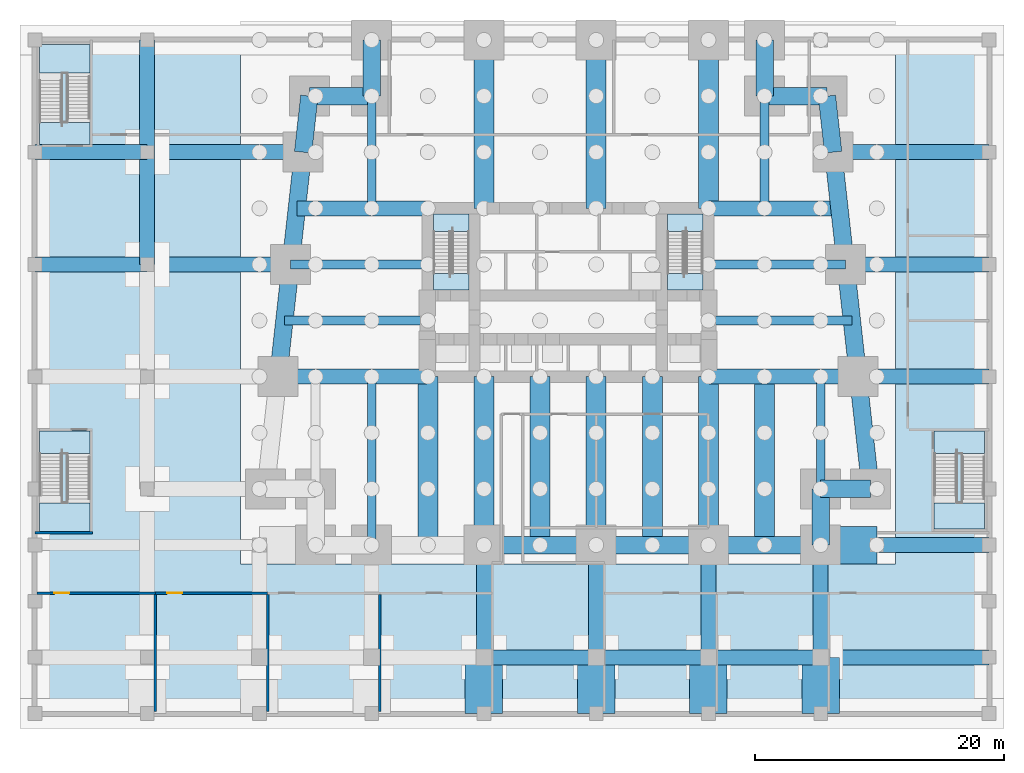
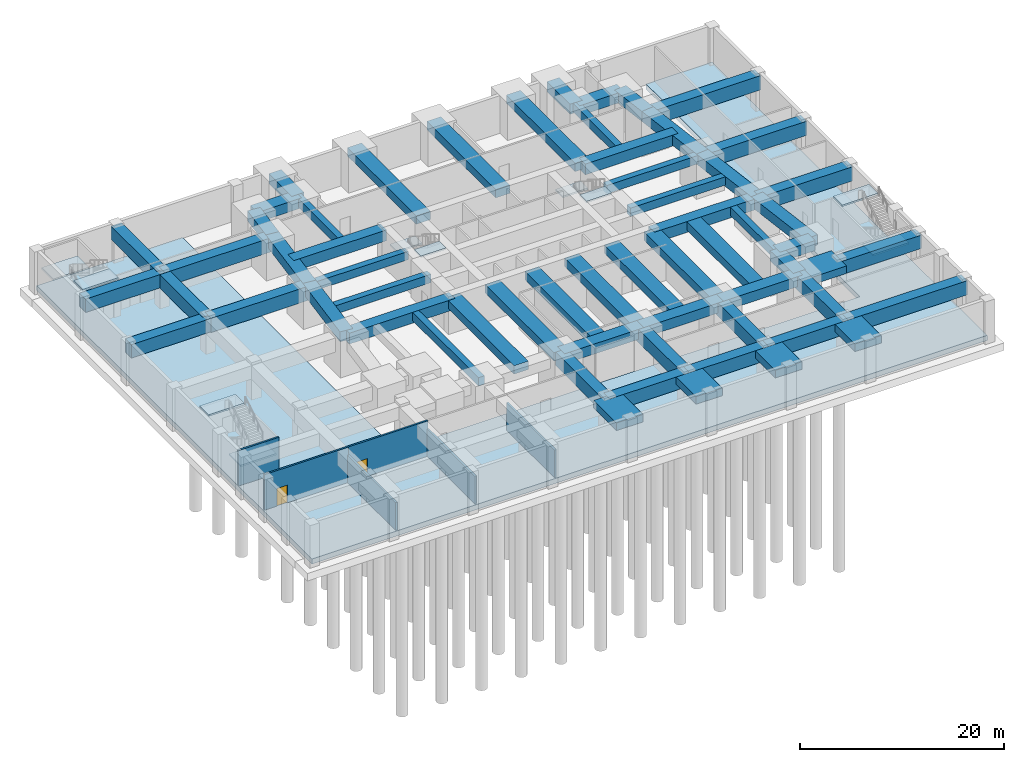
# One storey, part 2 of 9: 61 beams, 11 slabs, 6 walls, 2 doors, 2 openings, 5 elements without a shape of their own.
"""IFC4 building model written with IfcOpenShell, lengths in metres."""

from ifc_helpers import new_model, si_unit, direction, frame, frame_2d, origin, origin_2d, place, context, subcontext, project, spatial, polyline, rectangle, outline, extrude, material, layer, layer_set, material_profile, profile_set, type_object, element, fill, aggregate, save


model = new_model("IFC4")

# Units and contexts
model_context = context("Model", 3, precision=1e-05, world=origin(), true_north=direction((0.0, 1.0)))
body_context = subcontext(model_context, "Body", "Model", "MODEL_VIEW")
ifc_project = project(units=[si_unit("LENGTHUNIT", "METRE"), si_unit("AREAUNIT", "SQUARE_METRE"), si_unit("VOLUMEUNIT", "CUBIC_METRE"), si_unit("PLANEANGLEUNIT", "RADIAN"), si_unit("MASSUNIT", "GRAM", prefix="KILO")], contexts=[model_context])

# Site, building, storey
site_placement = place(None, origin())
site = spatial("IfcSite", under=ifc_project, at=site_placement, CompositionType="ELEMENT")
building_placement = place(site_placement, origin())
building = spatial("IfcBuilding", under=site, at=building_placement, Name="Kilele Tower Hotel", CompositionType="ELEMENT")
storey_placement = place(building_placement, frame((0.0, 0.0, -9.0)))
storey = spatial("IfcBuildingStorey", under=building, at=storey_placement, Name="B2", CompositionType="ELEMENT", Elevation=-9.0)

# Beams
ifc_material_1 = material(Name="Concrete C60/75", Category="concrete")
ifc_material_profile_1 = material_profile(ifc_material_1, rectangle(XDim=1.199951171875, YDim=1.60009765625, at=origin_2d()))
ifc_profile_set_1 = profile_set([ifc_material_profile_1], Name="Concrete C60/75")
beam_type_1 = type_object("IfcBeamType", Name="Beam RC 1200x1600 C60/75", PredefinedType="BEAM", material=ifc_profile_set_1)
for number, where, z_axis, x_axis, name in (
    (1, (-18.0, 22.5, 3.39990234375), (1.0, 0.0, 0.0), (0.0, 1.0, 0.0), "Beam PB2 level B1"),
    (2, (-9.0, 22.5, 3.39990234375), (0.0, 1.0, 0.0), (-1.0, 0.0, 0.0), "Beam PB2 level B1"),
    (3, (-18.0, 31.5, 3.39990234375), (1.0, 0.0, 0.0), (0.0, 1.0, 0.0), "Beam PB2 level B1"),
    (4, (-9.0, 31.5, 3.39990234375), (0.0, 1.0, 0.0), (-1.0, 0.0, 0.0), "Beam PB2 level B1"),
    (5, (18.0, -9.0, 3.39990234375), (0.0, 1.0, 0.0), (-1.0, 0.0, 0.0), "Beam PB2 level B1"),
    (6, (18.0, -9.0, 3.39990234375), (1.0, 0.0, 0.0), (0.0, 1.0, 0.0), "Beam PB2 level B1"),
    (7, (27.0, -9.0, 3.39990234375), (0.0, 1.0, 0.0), (-1.0, 0.0, 0.0), "Beam PB2 level B1"),
    (8, (27.0, -9.0, 3.39990234375), (1.0, 0.0, 0.0), (0.0, 1.0, 0.0), "Beam PB2 level B1"),
    (9, (36.0, -9.0, 3.39990234375), (0.0, 1.0, 0.0), (-1.0, 0.0, 0.0), "Beam PB2 level B1"),
    (10, (36.0, -9.0, 3.39990234375), (1.0, 0.0, 0.0), (0.0, 1.0, 0.0), "Beam PB2 level B1"),
    (11, (45.0, -9.0, 3.39990234375), (0.0, 1.0, 0.0), (-1.0, 0.0, 0.0), "Beam PB2 level B1"),
    (12, (49.5, 0.0, 3.39990234375), (1.0, 0.0, 0.0), (0.0, 1.0, 0.0), "Beam PB2 level B1"),
):
    element("IfcBeam", number, at=place(storey_placement, frame(where, z_axis=z_axis, x_axis=x_axis)), inside=storey, type_object=beam_type_1, Name=name, PredefinedType="BEAM", context=body_context, shape_type="SweptSolid", body=[
        extrude(rectangle(XDim=1.199951171875, YDim=1.60009765625, at=origin_2d()), origin(), (0.0, 0.0, 1.0), 9.0),
    ])
ifc_material_2 = material(Name="Concrete C60/75", Category="concrete")
ifc_material_profile_2 = material_profile(ifc_material_2, rectangle(XDim=1.199951171875, YDim=1.699951171875, at=origin_2d()))
ifc_profile_set_2 = profile_set([ifc_material_profile_2], Name="Concrete C60/75")
beam_type_2 = type_object("IfcBeamType", Name="Beam RC 1200x1700 C60/75", PredefinedType="BEAM", material=ifc_profile_set_2)
for number, where, z_axis, x_axis, name in (
    (13, (46.0, 31.5, 3.35009765625), (1.0, 0.0, 0.0), (0.0, 1.0, 0.0), "Beam PB3 level B1"),
    (14, (-9.0, 31.5, 3.35009765625), (1.0, 0.0, 0.0), (0.0, 1.0, 0.0), "Beam PB3 level B1"),
):
    element("IfcBeam", number, at=place(storey_placement, frame(where, z_axis=z_axis, x_axis=x_axis)), inside=storey, type_object=beam_type_2, Name=name, PredefinedType="BEAM", context=body_context, shape_type="SweptSolid", body=[
        extrude(rectangle(XDim=1.199951171875, YDim=1.699951171875, at=origin_2d()), origin(), (0.0, 0.0, 1.0), 12.5),
    ])
beam_1_placement = place(storey_placement, frame((45.0, -9.0, 3.35009765625), z_axis=(1.0, 0.0, 0.0), x_axis=(0.0, 1.0, 0.0)))
element("IfcBeam", 15, at=beam_1_placement, inside=storey, type_object=beam_type_2, Name="Beam PB3 level B1", PredefinedType="BEAM", context=body_context, shape_type="SweptSolid", body=[
    extrude(rectangle(XDim=1.199951171875, YDim=1.699951171875, at=origin_2d()), origin(), (0.0, 0.0, 1.0), 13.5),
])
ifc_material_3 = material(Name="Concrete C60/75", Category="concrete")
ifc_material_profile_3 = material_profile(ifc_material_3, rectangle(XDim=1.199951171875, YDim=1.699951171875, at=origin_2d()))
ifc_profile_set_3 = profile_set([ifc_material_profile_3], Name="Concrete C60/75")
beam_type_3 = type_object("IfcBeamType", Name="Beam RC 1200x1700 C60/75 mid span", PredefinedType="BEAM", material=ifc_profile_set_3)
beam_2_placement = place(storey_placement, frame((48.0, 13.5, 3.35009765625), z_axis=(1.0, 0.0, 0.0), x_axis=(0.0, 1.0, 0.0)))
element("IfcBeam", 16, at=beam_2_placement, inside=storey, type_object=beam_type_3, Name="Beam PB4 level B1", PredefinedType="BEAM", context=body_context, shape_type="SweptSolid", body=[
    extrude(rectangle(XDim=1.199951171875, YDim=1.699951171875, at=origin_2d()), origin(), (0.0, 0.0, 1.0), 10.5),
])
for number, where, z_axis, x_axis, name in (
    (17, (47.0, 22.5, 3.35009765625), (1.0, 0.0, 0.0), (0.0, 1.0, 0.0), "Beam PB4 level B1"),
    (18, (-9.0, 22.5, 3.35009765625), (1.0, 0.0, 0.0), (0.0, 1.0, 0.0), "Beam PB4 level B1"),
):
    element("IfcBeam", number, at=place(storey_placement, frame(where, z_axis=z_axis, x_axis=x_axis)), inside=storey, type_object=beam_type_3, Name=name, PredefinedType="BEAM", context=body_context, shape_type="SweptSolid", body=[
        extrude(rectangle(XDim=1.199951171875, YDim=1.699951171875, at=origin_2d()), origin(), (0.0, 0.0, 1.0), 11.5),
    ])
ifc_material_4 = material(Name="Concrete C60/75", Category="concrete")
ifc_material_profile_4 = material_profile(ifc_material_4, rectangle(XDim=1.60009765625, YDim=1.0, at=origin_2d()))
ifc_profile_set_4 = profile_set([ifc_material_profile_4], Name="Concrete C60/75")
beam_type_4 = type_object("IfcBeamType", Name="Beam RC 1600x1000 C60/75", PredefinedType="BEAM", material=ifc_profile_set_4)
for number, where, z_axis, x_axis, name in (
    (19, (13.5, 0.0, 3.699951171875), (0.0, 1.0, 0.0), (-1.0, 0.0, 0.0), "Beam BC1 level B1"),
    (20, (18.0, 0.0, 3.699951171875), (0.0, 1.0, 0.0), (-1.0, 0.0, 0.0), "Beam BC1 level B1"),
    (21, (22.5, 0.0, 3.699951171875), (0.0, 1.0, 0.0), (-1.0, 0.0, 0.0), "Beam BC1 level B1"),
    (22, (27.0, 0.0, 3.699951171875), (0.0, 1.0, 0.0), (-1.0, 0.0, 0.0), "Beam BC1 level B1"),
    (23, (31.5, 0.0, 3.699951171875), (0.0, 1.0, 0.0), (-1.0, 0.0, 0.0), "Beam BC1 level B1"),
    (24, (36.0, 0.0, 3.699951171875), (0.0, 1.0, 0.0), (-1.0, 0.0, 0.0), "Beam BC1 level B1"),
    (25, (40.5, 0.0, 3.699951171875), (0.0, 1.0, 0.0), (-1.0, 0.0, 0.0), "Beam BC1 level B1"),
    (26, (36.0, 40.5, 3.699951171875), (0.0, -1.0, 0.0), (1.0, 0.0, 0.0), "Beam BC1 level B1"),
    (27, (27.0, 40.5, 3.699951171875), (0.0, -1.0, 0.0), (1.0, 0.0, 0.0), "Beam BC1 level B1"),
    (28, (18.0, 40.5, 3.699951171875), (0.0, -1.0, 0.0), (1.0, 0.0, 0.0), "Beam BC1 level B1"),
):
    element("IfcBeam", number, at=place(storey_placement, frame(where, z_axis=z_axis, x_axis=x_axis)), inside=storey, type_object=beam_type_4, Name=name, PredefinedType="BEAM", context=body_context, shape_type="SweptSolid", body=[
        extrude(rectangle(XDim=1.60009765625, YDim=1.0, at=origin_2d()), origin(), (0.0, 0.0, 1.0), 13.5),
    ])
ifc_material_5 = material(Name="Concrete C60/75", Category="concrete")
ifc_material_profile_5 = material_profile(ifc_material_5, rectangle(XDim=3.0, YDim=0.89990234375, at=origin_2d()))
ifc_profile_set_5 = profile_set([ifc_material_profile_5], Name="Concrete C60/75")
beam_type_5 = type_object("IfcBeamType", Name="Beam RC 3000x900 C60/75", PredefinedType="BEAM", material=ifc_profile_set_5)
for number, where, z_axis, x_axis, name in (
    (29, (45.0, 0.0, 3.75), (1.0, 0.0, 0.0), (0.0, 1.0, 0.0), "Beam PB1 level B1"),
    (30, (18.0, -13.5, 3.75), (0.0, 1.0, 0.0), (-1.0, 0.0, 0.0), "Beam PB1 level B1"),
    (31, (27.0, -13.5, 3.75), (0.0, 1.0, 0.0), (-1.0, 0.0, 0.0), "Beam PB1 level B1"),
    (32, (36.0, -13.5, 3.75), (0.0, 1.0, 0.0), (-1.0, 0.0, 0.0), "Beam PB1 level B1"),
    (33, (45.0, -13.5, 3.75), (0.0, 1.0, 0.0), (-1.0, 0.0, 0.0), "Beam PB1 level B1"),
):
    element("IfcBeam", number, at=place(storey_placement, frame(where, z_axis=z_axis, x_axis=x_axis)), inside=storey, type_object=beam_type_5, Name=name, PredefinedType="BEAM", context=body_context, shape_type="SweptSolid", body=[
        extrude(rectangle(XDim=3.0, YDim=0.89990234375, at=origin_2d()), origin(), (0.0, 0.0, 1.0), 4.5),
    ])
ifc_material_6 = material(Name="Concrete C60/75", Category="concrete")
ifc_material_profile_6 = material_profile(ifc_material_6, rectangle(XDim=0.699951171875, YDim=1.0, at=origin_2d()))
ifc_profile_set_6 = profile_set([ifc_material_profile_6], Name="Concrete C60/75")
beam_type_6 = type_object("IfcBeamType", Name="Beam RC 700x1000 C60/75", PredefinedType="BEAM", material=ifc_profile_set_6)
beam_3_placement = place(storey_placement, frame((9.0, 0.0, 3.699951171875), z_axis=(0.0, 1.0, 0.0), x_axis=(-1.0, 0.0, 0.0)))
element("IfcBeam", 34, at=beam_3_placement, inside=storey, type_object=beam_type_6, Name="Beam B4 level B1", PredefinedType="BEAM", context=body_context, shape_type="SweptSolid", body=[
    extrude(rectangle(XDim=0.699951171875, YDim=1.0, at=origin_2d()), origin(), (0.0, 0.0, 1.0), 13.5),
])
ifc_material_7 = material(Name="Concrete C60/75", Category="concrete")
ifc_material_profile_7 = material_profile(ifc_material_7, rectangle(XDim=0.699951171875, YDim=1.0, at=origin_2d()))
ifc_profile_set_7 = profile_set([ifc_material_profile_7], Name="Concrete C60/75")
beam_type_7 = type_object("IfcBeamType", Name="Beam RC 700x1000 C60/75 mid span", PredefinedType="BEAM", material=ifc_profile_set_7)
beam_4_placement = place(storey_placement, frame((45.0, 4.5, 3.699951171875), z_axis=(0.0, 1.0, 0.0), x_axis=(-1.0, 0.0, 0.0)))
element("IfcBeam", 35, at=beam_4_placement, inside=storey, type_object=beam_type_7, Name="Beam B5 level B1", PredefinedType="BEAM", context=body_context, shape_type="SweptSolid", body=[
    extrude(rectangle(XDim=0.699951171875, YDim=1.0, at=origin_2d()), origin(), (0.0, 0.0, 1.0), 9.0),
])
beam_5_placement = place(storey_placement, frame((47.5, 18.0, 3.699951171875), z_axis=(-1.0, 0.0, 0.0), x_axis=(0.0, -1.0, 0.0)))
element("IfcBeam", 36, at=beam_5_placement, inside=storey, type_object=beam_type_7, Name="Beam B5 level B1", PredefinedType="BEAM", context=body_context, shape_type="SweptSolid", body=[
    extrude(rectangle(XDim=0.699951171875, YDim=1.0, at=origin_2d()), origin(), (0.0, 0.0, 1.0), 11.449951171875),
])
beam_6_placement = place(storey_placement, frame((47.0, 22.5, 3.699951171875), z_axis=(-1.0, 0.0, 0.0), x_axis=(0.0, -1.0, 0.0)))
element("IfcBeam", 37, at=beam_6_placement, inside=storey, type_object=beam_type_7, Name="Beam B5 level B1", PredefinedType="BEAM", context=body_context, shape_type="SweptSolid", body=[
    extrude(rectangle(XDim=0.699951171875, YDim=1.0, at=origin_2d()), origin(), (0.0, 0.0, 1.0), 11.0),
])
for number, where, z_axis, x_axis, name in (
    (38, (40.5, 36.0, 3.699951171875), (0.0, -1.0, 0.0), (1.0, 0.0, 0.0), "Beam B5 level B1"),
    (39, (9.0, 36.0, 3.699951171875), (0.0, -1.0, 0.0), (1.0, 0.0, 0.0), "Beam B5 level B1"),
):
    element("IfcBeam", number, at=place(storey_placement, frame(where, z_axis=z_axis, x_axis=x_axis)), inside=storey, type_object=beam_type_7, Name=name, PredefinedType="BEAM", context=body_context, shape_type="SweptSolid", body=[
        extrude(rectangle(XDim=0.699951171875, YDim=1.0, at=origin_2d()), origin(), (0.0, 0.0, 1.0), 9.0),
    ])
beam_7_placement = place(storey_placement, frame((2.5, 22.5, 3.699951171875), z_axis=(1.0, 0.0, 0.0), x_axis=(0.0, 1.0, 0.0)))
element("IfcBeam", 40, at=beam_7_placement, inside=storey, type_object=beam_type_7, Name="Beam B5 level B1", PredefinedType="BEAM", context=body_context, shape_type="SweptSolid", body=[
    extrude(rectangle(XDim=0.699951171875, YDim=1.0, at=origin_2d()), origin(), (0.0, 0.0, 1.0), 11.0),
])
beam_8_placement = place(storey_placement, frame((2.0, 18.0, 3.699951171875), z_axis=(1.0, 0.0, 0.0), x_axis=(0.0, 1.0, 0.0)))
element("IfcBeam", 41, at=beam_8_placement, inside=storey, type_object=beam_type_7, Name="Beam B5 level B1", PredefinedType="BEAM", context=body_context, shape_type="SweptSolid", body=[
    extrude(rectangle(XDim=0.699951171875, YDim=1.0, at=origin_2d()), origin(), (0.0, 0.0, 1.0), 11.449951171875),
])
ifc_material_8 = material(Name="Concrete C60/75", Category="concrete")
ifc_material_profile_8 = material_profile(ifc_material_8, rectangle(XDim=1.199951171875, YDim=1.300048828125, at=origin_2d()))
ifc_profile_set_8 = profile_set([ifc_material_profile_8], Name="Concrete C60/75")
beam_type_8 = type_object("IfcBeamType", Name="Girder RC 1200x1300 C60/75 mid span", PredefinedType="BEAM", material=ifc_profile_set_8)
beam_9_placement = place(storey_placement, frame((48.0, 13.5, 3.550048828125), z_axis=(-1.0, 0.0, 0.0), x_axis=(0.0, -1.0, 0.0)))
element("IfcBeam", 42, at=beam_9_placement, inside=storey, type_object=beam_type_8, Name="Girder G3 level B1", PredefinedType="BEAM", context=body_context, shape_type="SweptSolid", body=[
    extrude(rectangle(XDim=1.199951171875, YDim=1.300048828125, at=origin_2d()), origin(), (0.0, 0.0, 1.0), 11.949951171875),
])
for number, where, z_axis, x_axis, name in (
    (43, (46.5, 27.0, 3.550048828125), (-1.0, 0.0, 0.0), (0.0, -1.0, 0.0), "Girder G3 level B1"),
    (44, (3.0, 27.0, 3.550048828125), (1.0, 0.0, 0.0), (0.0, 1.0, 0.0), "Girder G3 level B1"),
):
    element("IfcBeam", number, at=place(storey_placement, frame(where, z_axis=z_axis, x_axis=x_axis)), inside=storey, type_object=beam_type_8, Name=name, PredefinedType="BEAM", context=body_context, shape_type="SweptSolid", body=[
        extrude(rectangle(XDim=1.199951171875, YDim=1.300048828125, at=origin_2d()), origin(), (0.0, 0.0, 1.0), 10.5),
    ])
beam_10_placement = place(storey_placement, frame((1.5, 13.5, 3.550048828125), z_axis=(1.0, 0.0, 0.0), x_axis=(0.0, 1.0, 0.0)))
element("IfcBeam", 45, at=beam_10_placement, inside=storey, type_object=beam_type_8, Name="Girder G3 level B1", PredefinedType="BEAM", context=body_context, shape_type="SweptSolid", body=[
    extrude(rectangle(XDim=1.199951171875, YDim=1.300048828125, at=origin_2d()), origin(), (0.0, 0.0, 1.0), 11.949951171875),
])
ifc_material_9 = material(Name="Concrete C60/75", Category="concrete")
ifc_material_profile_9 = material_profile(ifc_material_9, rectangle(XDim=1.39990234375, YDim=1.199951171875, at=origin_2d()))
ifc_profile_set_9 = profile_set([ifc_material_profile_9], Name="Concrete C60/75")
beam_type_9 = type_object("IfcBeamType", Name="Spandrel RC 1400x1200 C60/75", PredefinedType="SPANDREL", material=ifc_profile_set_9)
for number, where, z_axis, x_axis, name in (
    (46, (18.0, 0.0, 3.60009765625), (1.0, 0.0, 0.0), (0.0, 1.0, 0.0), "Spandrel SP10 level B1"),
    (47, (27.0, 0.0, 3.60009765625), (1.0, 0.0, 0.0), (0.0, 1.0, 0.0), "Spandrel SP10 level B1"),
    (48, (36.0, 0.0, 3.60009765625), (1.0, 0.0, 0.0), (0.0, 1.0, 0.0), "Spandrel SP10 level B1"),
):
    element("IfcBeam", number, at=place(storey_placement, frame(where, z_axis=z_axis, x_axis=x_axis)), inside=storey, type_object=beam_type_9, Name=name, PredefinedType="SPANDREL", context=body_context, shape_type="SweptSolid", body=[
        extrude(rectangle(XDim=1.39990234375, YDim=1.199951171875, at=origin_2d()), origin(), (0.0, 0.0, 1.0), 9.0),
    ])
beam_11_placement = place(storey_placement, frame((45.0, 0.0, 3.60009765625), z_axis=(0.0, 1.0, 0.0), x_axis=(-1.0, 0.0, 0.0)))
element("IfcBeam", 49, at=beam_11_placement, inside=storey, type_object=beam_type_9, Name="Spandrel SP10 level B1", PredefinedType="SPANDREL", context=body_context, shape_type="SweptSolid", body=[
    extrude(rectangle(XDim=1.39990234375, YDim=1.199951171875, at=origin_2d()), origin(), (0.0, 0.0, 1.0), 4.5),
])
beam_12_placement = place(storey_placement, frame((45.0, 4.5, 3.60009765625), z_axis=(1.0, 0.0, 0.0), x_axis=(0.0, 1.0, 0.0)))
element("IfcBeam", 50, at=beam_12_placement, inside=storey, type_object=beam_type_9, Name="Spandrel SP10 level B1", PredefinedType="SPANDREL", context=body_context, shape_type="SweptSolid", body=[
    extrude(rectangle(XDim=1.39990234375, YDim=1.199951171875, at=origin_2d()), origin(), (0.0, 0.0, 1.0), 4.0),
])
for number, where, z_axis, x_axis, name in (
    (51, (49.0, 4.5, 3.60009765625), (-0.110431526075, 0.993883734674, 0.0), (-0.993883734674, -0.110431526075, 0.0), "Spandrel SP10 level B1"),
    (52, (48.0, 13.5, 3.60009765625), (-0.110431526075, 0.993883734674, 0.0), (-0.993883734674, -0.110431526075, 0.0), "Spandrel SP10 level B1"),
    (53, (47.0, 22.5, 3.60009765625), (-0.110431526075, 0.993883734674, 0.0), (-0.993883734674, -0.110431526075, 0.0), "Spandrel SP10 level B1"),
):
    element("IfcBeam", number, at=place(storey_placement, frame(where, z_axis=z_axis, x_axis=x_axis)), inside=storey, type_object=beam_type_9, Name=name, PredefinedType="SPANDREL", context=body_context, shape_type="SweptSolid", body=[
        extrude(rectangle(XDim=1.39990234375, YDim=1.199951171875, at=origin_2d()), origin(), (0.0, 0.0, 1.0), 9.055419921875),
    ])
beam_13_placement = place(storey_placement, frame((46.0, 31.5, 3.60009765625), z_axis=(-0.110431526075, 0.993883734674, 0.0), x_axis=(-0.993883734674, -0.110431526075, 0.0)))
element("IfcBeam", 54, at=beam_13_placement, inside=storey, type_object=beam_type_9, Name="Spandrel SP10 level B1", PredefinedType="SPANDREL", context=body_context, shape_type="SweptSolid", body=[
    extrude(rectangle(XDim=1.39990234375, YDim=1.199951171875, at=origin_2d()), origin(), (0.0, 0.0, 1.0), 4.527587890625),
])
beam_14_placement = place(storey_placement, frame((45.5, 36.0, 3.60009765625), z_axis=(-1.0, 0.0, 0.0), x_axis=(0.0, -1.0, 0.0)))
element("IfcBeam", 55, at=beam_14_placement, inside=storey, type_object=beam_type_9, Name="Spandrel SP10 level B1", PredefinedType="SPANDREL", context=body_context, shape_type="SweptSolid", body=[
    extrude(rectangle(XDim=1.39990234375, YDim=1.199951171875, at=origin_2d()), origin(), (0.0, 0.0, 1.0), 5.0),
])
for number, where, z_axis, x_axis, name in (
    (56, (40.5, 36.0, 3.60009765625), (0.0, 1.0, 0.0), (-1.0, 0.0, 0.0), "Spandrel SP10 level B1"),
    (57, (9.0, 40.5, 3.60009765625), (0.0, -1.0, 0.0), (1.0, 0.0, 0.0), "Spandrel SP10 level B1"),
):
    element("IfcBeam", number, at=place(storey_placement, frame(where, z_axis=z_axis, x_axis=x_axis)), inside=storey, type_object=beam_type_9, Name=name, PredefinedType="SPANDREL", context=body_context, shape_type="SweptSolid", body=[
        extrude(rectangle(XDim=1.39990234375, YDim=1.199951171875, at=origin_2d()), origin(), (0.0, 0.0, 1.0), 4.5),
    ])
beam_15_placement = place(storey_placement, frame((9.0, 36.0, 3.60009765625), z_axis=(-1.0, 0.0, 0.0), x_axis=(0.0, -1.0, 0.0)))
element("IfcBeam", 58, at=beam_15_placement, inside=storey, type_object=beam_type_9, Name="Spandrel SP10 level B1", PredefinedType="SPANDREL", context=body_context, shape_type="SweptSolid", body=[
    extrude(rectangle(XDim=1.39990234375, YDim=1.199951171875, at=origin_2d()), origin(), (0.0, 0.0, 1.0), 5.0),
])
beam_16_placement = place(storey_placement, frame((4.0, 36.0, 3.60009765625), z_axis=(-0.110431526075, -0.993883734674, 0.0), x_axis=(0.993883734674, -0.110431526075, 0.0)))
element("IfcBeam", 59, at=beam_16_placement, inside=storey, type_object=beam_type_9, Name="Spandrel SP10 level B1", PredefinedType="SPANDREL", context=body_context, shape_type="SweptSolid", body=[
    extrude(rectangle(XDim=1.39990234375, YDim=1.199951171875, at=origin_2d()), origin(), (0.0, 0.0, 1.0), 4.527587890625),
])
for number, where, z_axis, x_axis, name in (
    (60, (3.5, 31.5, 3.60009765625), (-0.110431526075, -0.993883734674, 0.0), (0.993883734674, -0.110431526075, 0.0), "Spandrel SP10 level B1"),
    (61, (2.5, 22.5, 3.60009765625), (-0.110431526075, -0.993883734674, 0.0), (0.993883734674, -0.110431526075, 0.0), "Spandrel SP10 level B1"),
):
    element("IfcBeam", number, at=place(storey_placement, frame(where, z_axis=z_axis, x_axis=x_axis)), inside=storey, type_object=beam_type_9, Name=name, PredefinedType="SPANDREL", context=body_context, shape_type="SweptSolid", body=[
        extrude(rectangle(XDim=1.39990234375, YDim=1.199951171875, at=origin_2d()), origin(), (0.0, 0.0, 1.0), 9.055419921875),
    ])

# Slab
ifc_material_10 = material(Name="Concrete C60/75", Category="concrete")
ifc_layer_1 = layer(ifc_material_10, 0.60009765625)
ifc_layer_set_1 = layer_set([ifc_layer_1], Name="Concrete C60/75")
slab_type_1 = type_object("IfcSlabType", Name="Base slab 600", PredefinedType="BASESLAB", material=ifc_layer_set_1)
slab_1_placement = place(storey_placement, frame((0.0, 0.0, -0.60009765625)))
element("IfcSlab", 62, at=slab_1_placement, inside=storey, type_object=slab_type_1, Name="Base slab B2", PredefinedType="BASESLAB", context=body_context, shape_type="SweptSolid", body=[
    extrude(outline(polyline([(58.5, 40.5), (58.5, -13.5), (-18.0, -13.5), (-18.0, 40.5), (-1.5, 40.5), (-1.5, -1.5), (51.0, -1.5), (51.0, 40.5), (58.5, 40.5)])), origin(), (0.0, 0.0, 1.0), 0.60009765625),
])

# Stair, slabs
ifc_material_11 = material(Name="Precast concrete C40/50", Category="concrete")
stair_type_1 = type_object("IfcStairType", Name="Stair 1325 x 4500", PredefinedType="HALF_TURN_STAIR", material=ifc_material_11)
stair_1_placement = place(storey_placement, origin())
stair_1 = element("IfcStair", 63, at=stair_1_placement, inside=storey, type_object=stair_type_1, Name="Stair 1 B2", PredefinedType="HALF_TURN_STAIR")
ifc_material_12 = material(Name="Precast concrete C40/50", Category="concrete")
ifc_layer_2 = layer(ifc_material_12, 0.199951171875)
ifc_layer_set_2 = layer_set([ifc_layer_2], Name="Precast concrete C40/50")
slab_type_2 = type_object("IfcSlabType", Name="Stair landing 200", PredefinedType="LANDING", material=ifc_layer_set_2)
slab_2_placement = place(storey_placement, frame((0.0, 0.0, 2.050048828125)))
slab_2 = element("IfcSlab", 64, at=slab_2_placement, type_object=slab_type_2, Name="ST1 landing 1", PredefinedType="LANDING", context=body_context, shape_type="SweptSolid", body=[
    extrude(outline(polyline([(13.949951171875, 25.135009765625), (16.800048828125, 25.135009765625), (16.800048828125, 26.550048828125), (13.949951171875, 26.550048828125), (13.949951171875, 25.135009765625)])), origin(), (0.0, 0.0, 1.0), 0.199951171875),
])
slab_3_placement = place(storey_placement, frame((0.0, 0.0, 4.300048828125)))
slab_3 = element("IfcSlab", 65, at=slab_3_placement, type_object=slab_type_2, Name="ST1 landing 2", PredefinedType="LANDING", context=body_context, shape_type="SweptSolid", body=[
    extrude(outline(polyline([(13.949951171875, 20.449951171875), (16.800048828125, 20.449951171875), (16.800048828125, 21.77490234375), (13.949951171875, 21.77490234375), (13.949951171875, 20.449951171875)])), origin(), (0.0, 0.0, 1.0), 0.199951171875),
])
aggregate(stair_1, [slab_2, slab_3])

stair_2_placement = place(storey_placement, origin())
stair_2 = element("IfcStair", 66, at=stair_2_placement, inside=storey, type_object=stair_type_1, Name="Stair 2 B2", PredefinedType="HALF_TURN_STAIR")
slab_4_placement = place(storey_placement, frame((0.0, 0.0, 2.050048828125)))
slab_4 = element("IfcSlab", 67, at=slab_4_placement, type_object=slab_type_2, Name="ST2 landing 1", PredefinedType="LANDING", context=body_context, shape_type="SweptSolid", body=[
    extrude(outline(polyline([(32.699951171875, 25.135009765625), (35.550048828125, 25.135009765625), (35.550048828125, 26.550048828125), (32.699951171875, 26.550048828125), (32.699951171875, 25.135009765625)])), origin(), (0.0, 0.0, 1.0), 0.199951171875),
])
slab_5_placement = place(storey_placement, frame((0.0, 0.0, 4.300048828125)))
slab_5 = element("IfcSlab", 68, at=slab_5_placement, type_object=slab_type_2, Name="ST2 landing 2", PredefinedType="LANDING", context=body_context, shape_type="SweptSolid", body=[
    extrude(outline(polyline([(32.699951171875, 20.449951171875), (35.550048828125, 20.449951171875), (35.550048828125, 21.77490234375), (32.699951171875, 21.77490234375), (32.699951171875, 20.449951171875)])), origin(), (0.0, 0.0, 1.0), 0.199951171875),
])
aggregate(stair_2, [slab_4, slab_5])

ifc_material_13 = material(Name="Precast concrete C40/50", Category="concrete")
stair_type_2 = type_object("IfcStairType", Name="Stair 1800 x 4500", PredefinedType="HALF_TURN_STAIR", material=ifc_material_13)
stair_3_placement = place(storey_placement, origin())
stair_3 = element("IfcStair", 69, at=stair_3_placement, inside=storey, type_object=stair_type_2, Name="Stair 3 B2", PredefinedType="HALF_TURN_STAIR")
slab_6_placement = place(storey_placement, frame((0.0, 0.0, 2.050048828125)))
slab_6 = element("IfcSlab", 70, at=slab_6_placement, type_object=slab_type_2, Name="ST3 landing 1", PredefinedType="LANDING", context=body_context, shape_type="SweptSolid", body=[
    extrude(outline(polyline([(-17.64990234375, 37.860107421875), (-13.60009765625, 37.860107421875), (-13.60009765625, 40.14990234375), (-17.64990234375, 40.14990234375), (-17.64990234375, 37.860107421875)])), origin(), (0.0, 0.0, 1.0), 0.199951171875),
])
slab_7_placement = place(storey_placement, frame((0.0, 0.0, 4.300048828125)))
slab_7 = element("IfcSlab", 71, at=slab_7_placement, type_object=slab_type_2, Name="ST3 landing 2", PredefinedType="LANDING", context=body_context, shape_type="SweptSolid", body=[
    extrude(outline(polyline([(-17.64990234375, 32.10009765625), (-13.60009765625, 32.10009765625), (-13.60009765625, 33.89990234375), (-17.64990234375, 33.89990234375), (-17.64990234375, 32.10009765625)])), origin(), (0.0, 0.0, 1.0), 0.199951171875),
])
aggregate(stair_3, [slab_6, slab_7])

stair_4_placement = place(storey_placement, origin())
stair_4 = element("IfcStair", 72, at=stair_4_placement, inside=storey, type_object=stair_type_2, Name="Stair 4 B2", PredefinedType="HALF_TURN_STAIR")
slab_8_placement = place(storey_placement, frame((0.0, 0.0, 2.050048828125)))
slab_8 = element("IfcSlab", 73, at=slab_8_placement, type_object=slab_type_2, Name="ST4 landing 1", PredefinedType="LANDING", context=body_context, shape_type="SweptSolid", body=[
    extrude(outline(polyline([(-17.64990234375, 1.10009765625), (-13.60009765625, 1.10009765625), (-13.60009765625, 3.389892578125), (-17.64990234375, 3.389892578125), (-17.64990234375, 1.10009765625)])), origin(), (0.0, 0.0, 1.0), 0.199951171875),
])
slab_9_placement = place(storey_placement, frame((0.0, 0.0, 4.300048828125)))
slab_9 = element("IfcSlab", 74, at=slab_9_placement, type_object=slab_type_2, Name="ST4 landing 2", PredefinedType="LANDING", context=body_context, shape_type="SweptSolid", body=[
    extrude(outline(polyline([(-17.64990234375, 7.35009765625), (-13.60009765625, 7.35009765625), (-13.60009765625, 9.14990234375), (-17.64990234375, 9.14990234375), (-17.64990234375, 7.35009765625)])), origin(), (0.0, 0.0, 1.0), 0.199951171875),
])
aggregate(stair_4, [slab_8, slab_9])

stair_5_placement = place(storey_placement, origin())
stair_5 = element("IfcStair", 75, at=stair_5_placement, inside=storey, type_object=stair_type_2, Name="Stair 5 B2", PredefinedType="HALF_TURN_STAIR")
slab_10_placement = place(storey_placement, frame((0.0, 0.0, 2.050048828125)))
slab_10 = element("IfcSlab", 76, at=slab_10_placement, type_object=slab_type_2, Name="ST5 landing 1", PredefinedType="LANDING", context=body_context, shape_type="SweptSolid", body=[
    extrude(outline(polyline([(54.10009765625, 1.300048828125), (58.14990234375, 1.300048828125), (58.14990234375, 3.389892578125), (54.10009765625, 3.389892578125), (54.10009765625, 1.300048828125)])), origin(), (0.0, 0.0, 1.0), 0.199951171875),
])
slab_11_placement = place(storey_placement, frame((0.0, 0.0, 4.300048828125)))
slab_11 = element("IfcSlab", 77, at=slab_11_placement, type_object=slab_type_2, Name="ST5 landing 2", PredefinedType="LANDING", context=body_context, shape_type="SweptSolid", body=[
    extrude(outline(polyline([(54.10009765625, 7.35009765625), (58.14990234375, 7.35009765625), (58.14990234375, 9.14990234375), (54.10009765625, 9.14990234375), (54.10009765625, 7.35009765625)])), origin(), (0.0, 0.0, 1.0), 0.199951171875),
])
aggregate(stair_5, [slab_10, slab_11])

# Walls
ifc_material_14 = material(Name="Blockwork, plastered both sides", Category="masonry")
ifc_layer_3 = layer(ifc_material_14, 0.199951171875)
ifc_layer_set_3 = layer_set([ifc_layer_3], Name="Blockwork, plastered both sides")
wall_type_1 = type_object("IfcWallType", Name="Partition wall 200", PredefinedType="PARTITIONING", material=ifc_layer_set_3)
for number, where, z_axis, x_axis, name in (
    (78, (-8.35009765625, -13.35009765625, 0.0), (0.0, 0.0, 1.0), (0.0, 1.0, 0.0), "Partition wall 200 B2"),
    (79, (0.64990234375, -13.35009765625, 0.0), (0.0, 0.0, 1.0), (0.0, 1.0, 0.0), "Partition wall 200 B2"),
    (80, (9.64990234375, -13.35009765625, 0.0), (0.0, 0.0, 1.0), (0.0, 1.0, 0.0), "Partition wall 200 B2"),
):
    element("IfcWall", number, at=place(storey_placement, frame(where, z_axis=z_axis, x_axis=x_axis)), inside=storey, type_object=wall_type_1, Name=name, PredefinedType="PARTITIONING", context=body_context, shape_type="SweptSolid", body=[
        extrude(rectangle(XDim=9.400146484375, YDim=0.199951171875, at=frame_2d((4.7001953125, 0.0))), origin(), (0.0, 0.0, 1.0), 3.300048828125),
    ])

# Wall, opening, door
wall_1_placement = place(storey_placement, frame((-17.85009765625, -3.85009765625, 0.0), z_axis=(0.0, 0.0, 1.0), x_axis=(1.0, 0.0, 0.0)))
wall_1 = element("IfcWall", 81, at=wall_1_placement, inside=storey, type_object=wall_type_1, Name="Partition wall 200 B2", PredefinedType="PARTITIONING", context=body_context, shape_type="SweptSolid", body=[
    extrude(rectangle(XDim=9.5, YDim=0.199951171875, at=frame_2d((4.75, 0.0))), origin(), (0.0, 0.0, 1.0), 4.25),
])
opening_1_placement = place(wall_1_placement, frame((1.39990234375, 0.0, 0.0)))
opening_1 = element("IfcOpeningElement", 82, at=opening_1_placement, cuts=wall_1, Name="Opening D7A", PredefinedType="OPENING", context=body_context, shape_type="SweptSolid", body=[
    extrude(rectangle(XDim=1.199951171875, YDim=2.10009765625, at=frame_2d((0.60009765625, 1.050048828125))), frame((0.0, 0.10986328125, 0.0), z_axis=(0.0, -1.0, 0.0), x_axis=(1.0, 0.0, 0.0)), (0.0, 0.0, 1.0), 0.219970703125),
])
ifc_material_15 = material(Name="Timber door leaf in hardwood frame", Category="wood")
door_type = type_object("IfcDoorType", Name="Plant room door 1200", OperationType="SINGLE_SWING_LEFT", PredefinedType="DOOR", material=ifc_material_15)
door_1_placement = place(opening_1_placement, origin())
door_1 = element("IfcDoor", 83, at=door_1_placement, inside=storey, type_object=door_type, Name="Door Main LV switchroom", OperationType="SINGLE_SWING_LEFT", OverallHeight=2.10009765625, OverallWidth=1.199951171875, PredefinedType="DOOR", context=body_context, shape_type="SweptSolid", body=[
    extrude(rectangle(XDim=1.199951171875, YDim=2.10009765625, at=frame_2d((0.60009765625, 1.050048828125))), frame((0.0, 0.02490234375, 0.0), z_axis=(0.0, -1.0, 0.0), x_axis=(1.0, 0.0, 0.0)), (0.0, 0.0, 1.0), 0.050048828125),
])
fill(opening_1, door_1)

wall_2_placement = place(storey_placement, frame((-8.35009765625, -3.85009765625, 0.0), z_axis=(0.0, 0.0, 1.0), x_axis=(1.0, 0.0, 0.0)))
wall_2 = element("IfcWall", 84, at=wall_2_placement, inside=storey, type_object=wall_type_1, Name="Partition wall 200 B2", PredefinedType="PARTITIONING", context=body_context, shape_type="SweptSolid", body=[
    extrude(rectangle(XDim=9.0, YDim=0.199951171875, at=frame_2d((4.5, 0.0))), origin(), (0.0, 0.0, 1.0), 4.25),
])
opening_2_placement = place(wall_2_placement, frame((2.14990234375, 0.0, 0.0), z_axis=(0.0, 0.0, 1.0), x_axis=(-1.0, 0.0, 0.0)))
opening_2 = element("IfcOpeningElement", 85, at=opening_2_placement, cuts=wall_2, Name="Opening D7A", PredefinedType="OPENING", context=body_context, shape_type="SweptSolid", body=[
    extrude(rectangle(XDim=1.199951171875, YDim=2.10009765625, at=frame_2d((0.60009765625, 1.050048828125))), frame((0.0, 0.10986328125, 0.0), z_axis=(0.0, -1.0, 0.0), x_axis=(1.0, 0.0, 0.0)), (0.0, 0.0, 1.0), 0.219970703125),
])
door_2_placement = place(opening_2_placement, origin())
door_2 = element("IfcDoor", 86, at=door_2_placement, inside=storey, type_object=door_type, Name="Door Diesel day tank room", OperationType="SINGLE_SWING_RIGHT", OverallHeight=2.10009765625, OverallWidth=1.199951171875, PredefinedType="DOOR", context=body_context, shape_type="SweptSolid", body=[
    extrude(rectangle(XDim=1.199951171875, YDim=2.10009765625, at=frame_2d((0.60009765625, 1.050048828125))), frame((0.0, 0.02490234375, 0.0), z_axis=(0.0, -1.0, 0.0), x_axis=(1.0, 0.0, 0.0)), (0.0, 0.0, 1.0), 0.050048828125),
])
fill(opening_2, door_2)

# Wall
ifc_material_16 = material(Name="Concrete C40/50", Category="concrete")
ifc_layer_4 = layer(ifc_material_16, 0.199951171875)
ifc_layer_set_4 = layer_set([ifc_layer_4], Name="Concrete C40/50")
wall_type_2 = type_object("IfcWallType", Name="Stair wall RC 200 C40/50", PredefinedType="SOLIDWALL", material=ifc_layer_set_4)
wall_3_placement = place(storey_placement, frame((-18.0, 1.0, 0.0), z_axis=(0.0, 0.0, 1.0), x_axis=(1.0, 0.0, 0.0)))
element("IfcWall", 87, at=wall_3_placement, inside=storey, type_object=wall_type_2, Name="Stair wall RC 200 C40/50 B2", PredefinedType="SOLIDWALL", context=body_context, shape_type="SweptSolid", body=[
    extrude(rectangle(XDim=4.60009765625, YDim=0.199951171875, at=frame_2d((2.300048828125, 0.0))), origin(), (0.0, 0.0, 1.0), 4.25),
])

save(model, "model.ifc")
